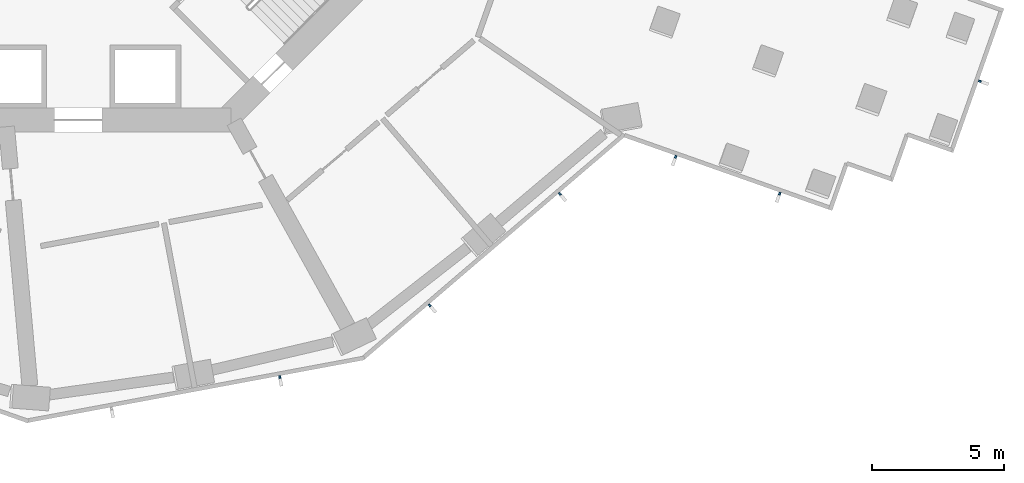
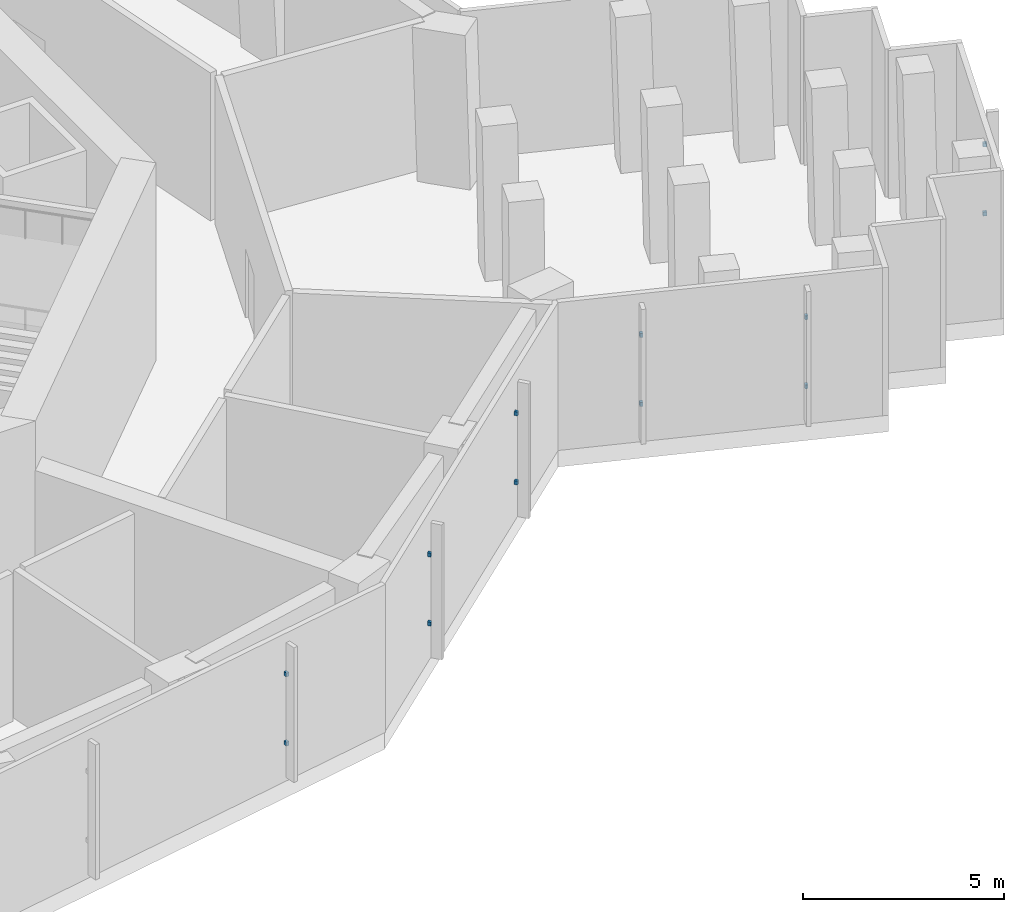
# One storey, part 8 of 20: 12 discrete accessories.
"""IFC4 building model written with IfcOpenShell, lengths in metres."""

from ifc_helpers import new_model, si_unit, direction, frame, origin, origin_2d, place, context, subcontext, project, spatial, rectangle, extrude, element, save


model = new_model("IFC4")

# Units and contexts
model_context = context("Model", 3, precision=1e-05, world=origin(), true_north=direction((0.0, 1.0)))
body_context = subcontext(model_context, "Body", "Model", "MODEL_VIEW")
ifc_project = project(units=[si_unit("LENGTHUNIT", "METRE"), si_unit("AREAUNIT", "SQUARE_METRE"), si_unit("VOLUMEUNIT", "CUBIC_METRE"), si_unit("PLANEANGLEUNIT", "RADIAN"), si_unit("MASSUNIT", "GRAM", prefix="KILO")], contexts=[model_context])

# Site, building, storey
site_placement = place(None, origin())
site = spatial("IfcSite", under=ifc_project, at=site_placement, CompositionType="ELEMENT")
building_placement = place(site_placement, origin())
building = spatial("IfcBuilding", under=site, at=building_placement, Name="Verdalira Terraces Hotel", CompositionType="ELEMENT")
storey_placement = place(building_placement, frame((0.0, 0.0, 75.0)))
storey = spatial("IfcBuildingStorey", under=building, at=storey_placement, Name="L17", CompositionType="ELEMENT", Elevation=75.0)

# Discrete accessories
for number, where, z_axis, x_axis, name in (
    (1, (7.649902, -23.301025, 1.139893), (0.0, 0.0, 1.0), (0.983063532, 0.183265088, 0.0), "Fin bracket"),
    (2, (7.649902, -23.301025, 3.23999), (0.0, 0.0, 1.0), (0.983063532, 0.183265088, 0.0), "Fin bracket"),
    (3, (13.337158, -20.581055, 1.139893), (0.0, 0.0, 1.0), (0.759725448, 0.650243987, 0.0), "Fin bracket"),
    (4, (13.337158, -20.581055, 3.23999), (0.0, 0.0, 1.0), (0.759725448, 0.650243987, 0.0), "Fin bracket"),
    (5, (18.275391, -16.354248, 1.139893), (0.0, 0.0, 1.0), (0.759725448, 0.650243987, 0.0), "Fin bracket"),
    (6, (18.275391, -16.354248, 3.23999), (0.0, 0.0, 1.0), (0.759725448, 0.650243987, 0.0), "Fin bracket"),
    (7, (22.668701, -14.946533, 1.139893), (0.0, 0.0, 1.0), (0.942990536, -0.332819545, 0.0), "Fin bracket"),
    (8, (22.668701, -14.946533, 3.23999), (0.0, 0.0, 1.0), (0.942990536, -0.332819545, 0.0), "Fin bracket"),
    (9, (26.61499, -16.3396, 1.139893), (0.0, 0.0, 1.0), (0.942990536, -0.332819545, 0.0), "Fin bracket"),
    (10, (26.61499, -16.3396, 3.23999), (0.0, 0.0, 1.0), (0.942990536, -0.332819545, 0.0), "Fin bracket"),
    (11, (34.209961, -12.074219, 1.139893), (0.0, 0.0, 1.0), (0.332819545, 0.942990536, 0.0), "Fin bracket"),
    (12, (34.209961, -12.074219, 3.23999), (0.0, 0.0, 1.0), (0.332819545, 0.942990536, 0.0), "Fin bracket"),
):
    element("IfcDiscreteAccessory", number, at=place(storey_placement, frame(where, z_axis=z_axis, x_axis=x_axis)), inside=storey, Name=name, PredefinedType="BRACKET", context=body_context, shape_type="SweptSolid", body=[
        extrude(rectangle(XDim=0.080078, YDim=0.100098, at=origin_2d()), origin(), (0.0, 0.0, 1.0), 0.120117),
    ])

save(model, "model.ifc")
